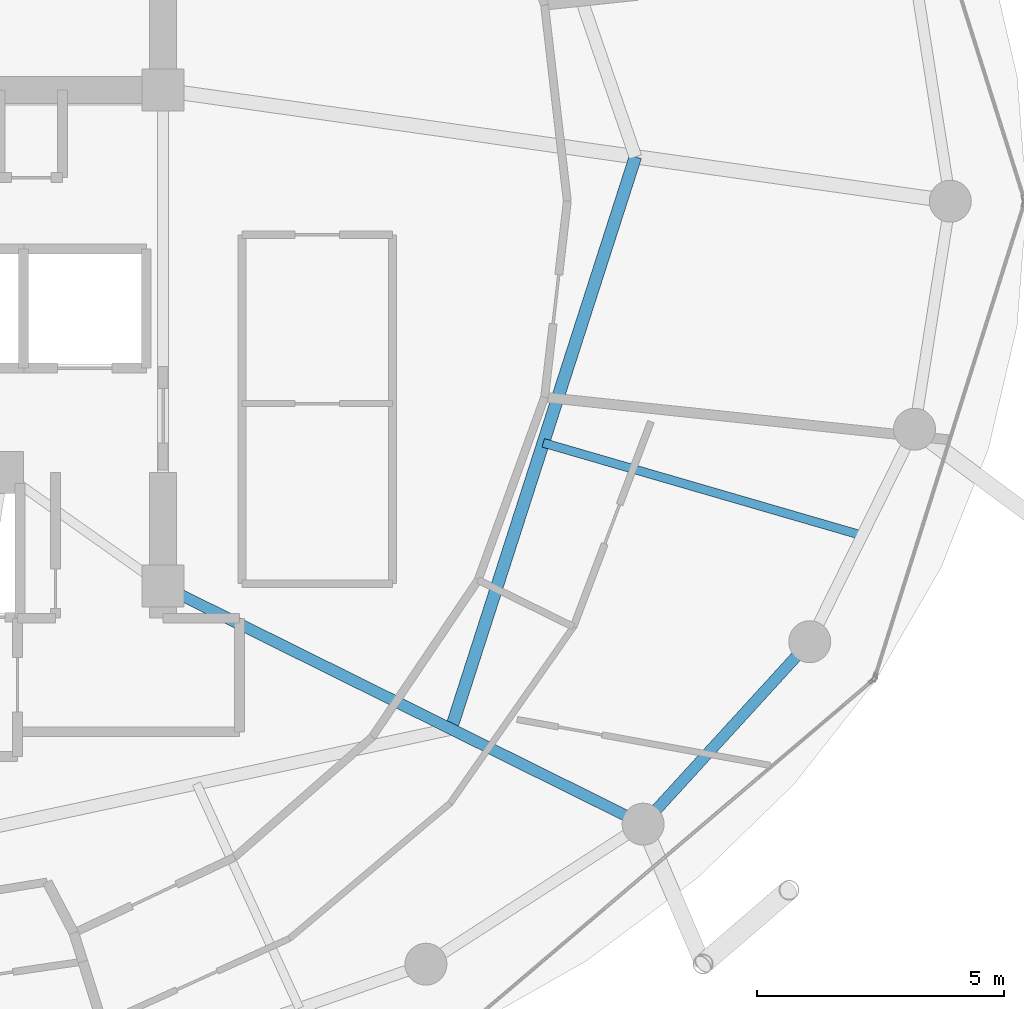
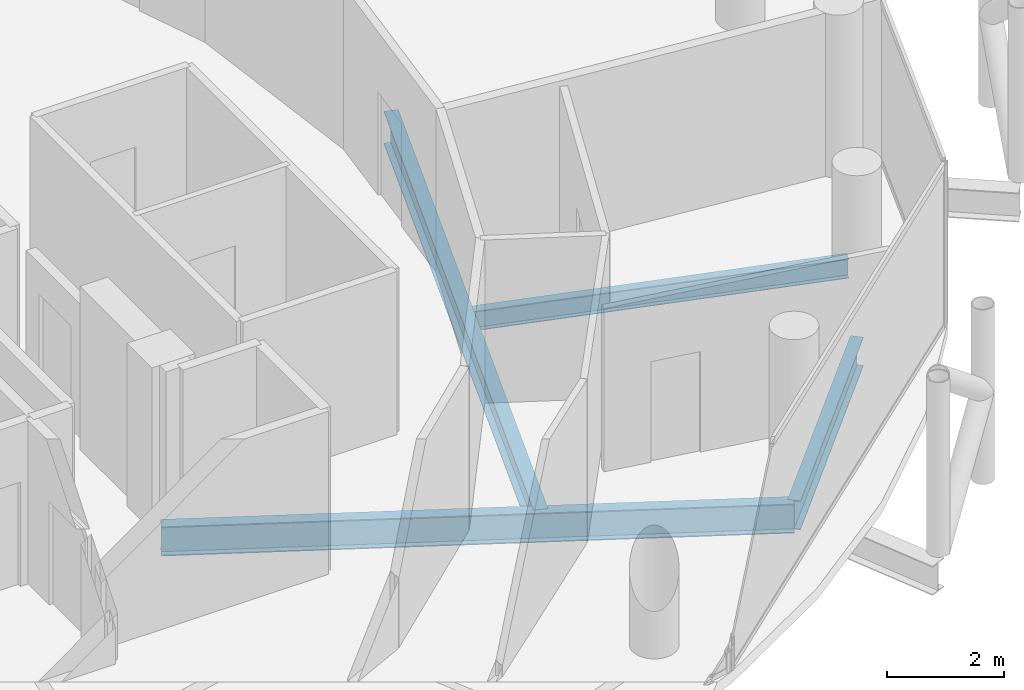
# One storey, part 12 of 27: 4 beams.
"""IFC4 building model written with IfcOpenShell, lengths in metres."""

from ifc_helpers import new_model, si_unit, direction, frame, origin, origin_2d, place, context, subcontext, project, spatial, i_section, extrude, material, material_profile, profile_set, type_object, element, save


model = new_model("IFC4")

# Units and contexts
model_context = context("Model", 3, precision=1e-05, world=origin(), true_north=direction((0.0, 1.0)))
body_context = subcontext(model_context, "Body", "Model", "MODEL_VIEW")
ifc_project = project(units=[si_unit("LENGTHUNIT", "METRE"), si_unit("AREAUNIT", "SQUARE_METRE"), si_unit("VOLUMEUNIT", "CUBIC_METRE"), si_unit("PLANEANGLEUNIT", "RADIAN"), si_unit("MASSUNIT", "GRAM", prefix="KILO")], contexts=[model_context])

# Site, building, storey
site_placement = place(None, origin())
site = spatial("IfcSite", under=ifc_project, at=site_placement, CompositionType="ELEMENT")
building_placement = place(site_placement, origin())
building = spatial("IfcBuilding", under=site, at=building_placement, Name="Nuhasar Tower", CompositionType="ELEMENT")
storey_placement = place(building_placement, frame((0.0, 0.0, 248.300048828125)))
storey = spatial("IfcBuildingStorey", under=building, at=storey_placement, Name="L61", CompositionType="ELEMENT", Elevation=248.300048828125)

# Beams
ifc_material = material(Name="Steel S355", Category="steel")
ifc_material_profile_1 = material_profile(ifc_material, i_section(OverallWidth=0.25390625, OverallDepth=0.68408203125, WebThickness=0.012451171875, FlangeThickness=0.018798828125, at=origin_2d()), Name="W27X94")
ifc_profile_set_1 = profile_set([ifc_material_profile_1], Name="Steel S355")
beam_type_1 = type_object("IfcBeamType", Name="BM-INRING-W27X94", PredefinedType="BEAM", material=ifc_profile_set_1)
beam_1_placement = place(storey_placement, frame((50.135986328125, 16.10693359375, -0.58203125), z_axis=(0.306589852134, 0.951841721385, 0.0), x_axis=(-0.951841721385, 0.306589852134, 0.0)))
element("IfcBeam", 1, at=beam_1_placement, inside=storey, type_object=beam_type_1, Name="L61 Inner Header Beam 03", PredefinedType="BEAM", context=body_context, shape_type="SweptSolid", body=[
    extrude(i_section(OverallWidth=0.25390625, OverallDepth=0.68408203125, WebThickness=0.012451171875, FlangeThickness=0.018798828125, at=origin_2d()), origin(), (0.0, 0.0, 1.0), 12.179443359375),
])
ifc_material_profile_2 = material_profile(ifc_material, i_section(OverallWidth=0.177978515625, OverallDepth=0.406005859375, WebThickness=0.0078125, FlangeThickness=0.0126953125, at=origin_2d()), Name="W16X40")
ifc_profile_set_2 = profile_set([ifc_material_profile_2], Name="Steel S355")
beam_type_2 = type_object("IfcBeamType", Name="BM-JST-W16X40", PredefinedType="JOIST", material=ifc_profile_set_2)
beam_2_placement = place(storey_placement, frame((52.0029296875, 21.904052734375, -0.443115234375), z_axis=(0.960312689798, -0.27892568511, 0.0), x_axis=(0.27892568511, 0.960312689798, 0.0)))
element("IfcBeam", 2, at=beam_2_placement, inside=storey, type_object=beam_type_2, Name="L61 Secondary Floor Joist 03", PredefinedType="JOIST", context=body_context, shape_type="SweptSolid", body=[
    extrude(i_section(OverallWidth=0.177978515625, OverallDepth=0.406005859375, WebThickness=0.0078125, FlangeThickness=0.0126953125, at=origin_2d()), origin(), (0.0, 0.0, 1.0), 6.729248046875),
])
ifc_material_profile_3 = material_profile(ifc_material, i_section(OverallWidth=0.22900390625, OverallDepth=0.612060546875, WebThickness=0.011962890625, FlangeThickness=0.01953125, at=origin_2d()), Name="W24X84")
ifc_profile_set_3 = profile_set([ifc_material_profile_3], Name="Steel S355")
beam_type_3 = type_object("IfcBeamType", Name="BM-RAD-W24X84", PredefinedType="BEAM", material=ifc_profile_set_3)
beam_3_placement = place(storey_placement, frame((44.300048828125, 19.0, -0.546142578125), z_axis=(0.895928935233, -0.444197414459, 0.0), x_axis=(0.444197414459, 0.895928935233, 0.0)))
element("IfcBeam", 3, at=beam_3_placement, inside=storey, type_object=beam_type_3, Name="L61 Radial Floor Girder 03", PredefinedType="BEAM", context=body_context, shape_type="SweptSolid", body=[
    extrude(i_section(OverallWidth=0.22900390625, OverallDepth=0.612060546875, WebThickness=0.011962890625, FlangeThickness=0.01953125, at=origin_2d()), origin(), (0.0, 0.0, 1.0), 10.85546875),
])
ifc_material_profile_4 = material_profile(ifc_material, i_section(OverallWidth=0.22802734375, OverallDepth=0.60791015625, WebThickness=0.01123046875, FlangeThickness=0.017333984375, at=origin_2d()), Name="W24X76")
ifc_profile_set_4 = profile_set([ifc_material_profile_4], Name="Steel S355")
beam_type_4 = type_object("IfcBeamType", Name="BM-RING-W24X76", PredefinedType="SPANDREL", material=ifc_profile_set_4)
beam_4_placement = place(storey_placement, frame((54.02587890625, 14.177978515625, -0.5439453125), z_axis=(0.674449692975, 0.738320805373, 0.0), x_axis=(-0.738320805373, 0.674449692975, 0.0)))
element("IfcBeam", 4, at=beam_4_placement, inside=storey, type_object=beam_type_4, Name="L61 Perimeter Ring Spandrel 22", PredefinedType="SPANDREL", context=body_context, shape_type="SweptSolid", body=[
    extrude(i_section(OverallWidth=0.22802734375, OverallDepth=0.60791015625, WebThickness=0.01123046875, FlangeThickness=0.017333984375, at=origin_2d()), origin(), (0.0, 0.0, 1.0), 5.00732421875),
])

save(model, "model.ifc")
